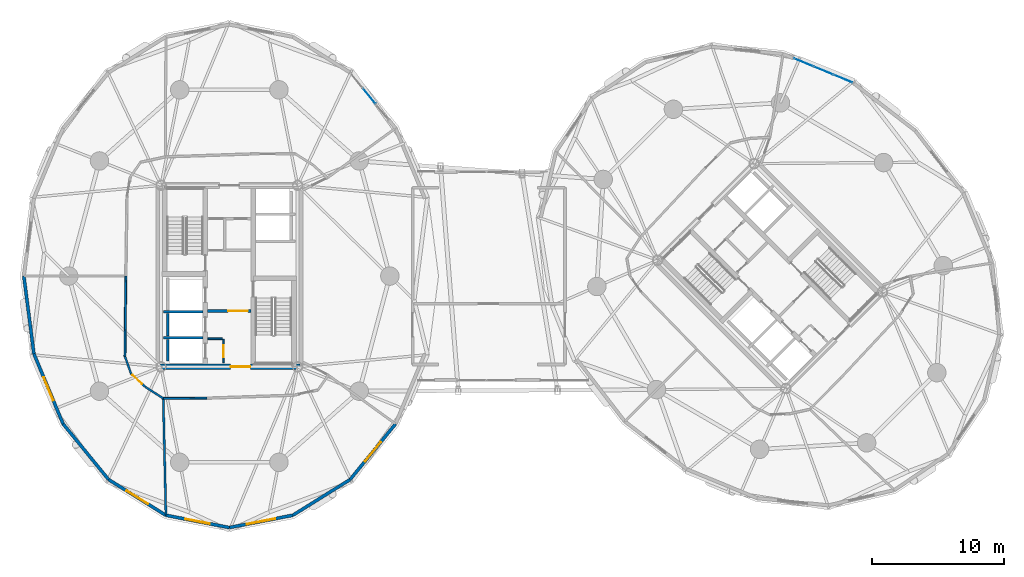
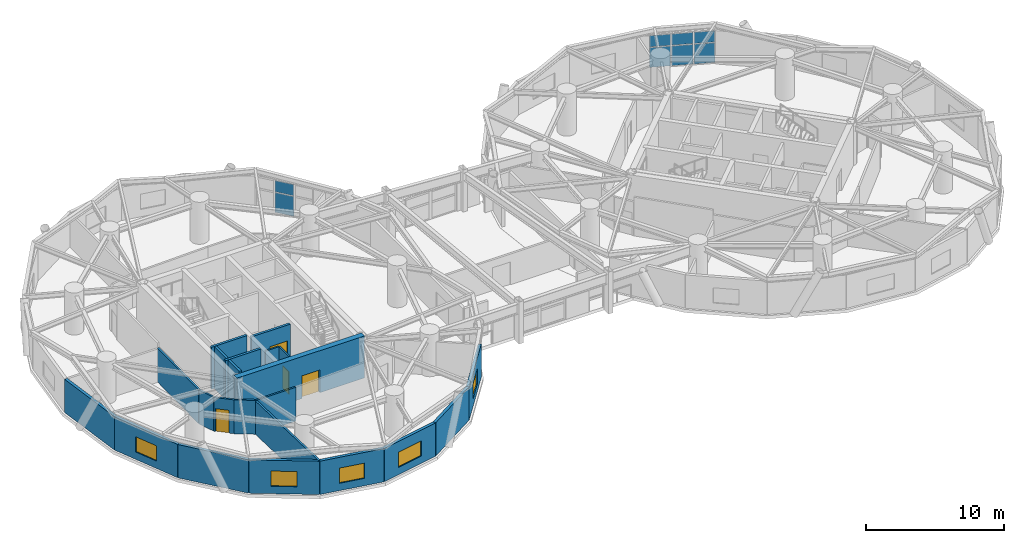
# One storey, part 12 of 19: 22 walls, 8 plates, 5 windows, 4 doors, 9 openings, 2 elements without a shape of their own.
"""IFC4 building model written with IfcOpenShell, lengths in metres."""

import ifcopenshell
import ifcopenshell.guid

model = None  # the IFC model being written
_history = None  # IfcOwnerHistory: only IFC2X3 demands one
_inside = {}  # id of a spatial element -> (the spatial element, [elements in it])
_under = {}  # id of a project, library or spatial element -> (it, [spatial elements below it])
_declared = {}  # id of a project -> (the project, [libraries it declares])
_typed = {}  # id of a type object -> (the type object, [elements of that type])
_made_of = {}  # id of a material, layer set ... -> (it, [elements and type objects made of it])


def new_model(schema):
    """Start an empty IFC model of exactly this schema.

    Asked for "IFC4X3", IfcOpenShell would pick the latest addendum, in which some entities
    have other attributes; the version numbers below select the first issue.
    IFC2X3 requires an IfcOwnerHistory on every rooted entity: one is made here for all.
    """
    global model, _history
    if schema == "IFC4X3":
        model = ifcopenshell.file(schema_version=(4, 3, 0, 0))
    else:
        model = ifcopenshell.file(schema=schema)
    _inside.clear()
    _under.clear()
    _declared.clear()
    _typed.clear()
    _made_of.clear()
    _history = None
    if model.schema == "IFC2X3":
        org = make("IfcOrganization", Name="unknown")
        user = make(
            "IfcPersonAndOrganization",
            ThePerson=make("IfcPerson", FamilyName="unknown"),
            TheOrganization=org,
        )
        app = make(
            "IfcApplication",
            ApplicationDeveloper=org,
            Version="unknown",
            ApplicationFullName="unknown",
            ApplicationIdentifier="unknown",
        )
        _history = make(
            "IfcOwnerHistory",
            OwningUser=user,
            OwningApplication=app,
            ChangeAction="ADDED",
            CreationDate=0,
        )
    return model


def make(cls, **values):
    """One entity of the class cls with the attributes given. An attribute that is None is left unset."""
    return model.create_entity(
        cls, **{name: value for name, value in values.items() if value is not None}
    )


def rooted(cls, **values):
    """An entity with a GlobalId (a new one), such as an element, a storey or a relation."""
    return make(cls, GlobalId=ifcopenshell.guid.new(), OwnerHistory=_history, **values)


def si_unit(unit_type, name, prefix=None):
    """IfcSIUnit, for example si_unit("LENGTHUNIT", "METRE", prefix="MILLI")."""
    return make("IfcSIUnit", UnitType=unit_type, Prefix=prefix, Name=name)


def assignment(units):
    """IfcUnitAssignment: the units of a project."""
    return None if units is None else make("IfcUnitAssignment", Units=units)


def point(xyz):
    """IfcCartesianPoint."""
    return None if xyz is None else make("IfcCartesianPoint", Coordinates=xyz)


def direction(xyz):
    """IfcDirection."""
    return None if xyz is None else make("IfcDirection", DirectionRatios=xyz)


def frame(location, z_axis=None, x_axis=None):
    """IfcAxis2Placement3D, a coordinate frame: its origin and axes. An axis left out is left unset."""
    return make(
        "IfcAxis2Placement3D",
        Location=point(location),
        Axis=direction(z_axis),
        RefDirection=direction(x_axis),
    )


def frame_2d(location, x_axis=None):
    """IfcAxis2Placement2D, a coordinate frame in the plane: its origin and x axis."""
    return make(
        "IfcAxis2Placement2D", Location=point(location), RefDirection=direction(x_axis)
    )


def origin():
    """The frame at (0, 0, 0) with its axes left unset."""
    return frame((0.0, 0.0, 0.0))


def origin_2d():
    """The frame at (0, 0) in the plane with its x axis left unset."""
    return frame_2d((0.0, 0.0))


def place(relative_to, where):
    """IfcLocalPlacement: puts the frame where relative to a parent placement (None: the world)."""
    return make(
        "IfcLocalPlacement", PlacementRelTo=relative_to, RelativePlacement=where
    )


def context(
    kind, dimensions, precision=None, world=None, true_north=None, identifier=None
):
    """IfcGeometricRepresentationContext, for example the 3D "Model" context."""
    return make(
        "IfcGeometricRepresentationContext",
        ContextIdentifier=identifier,
        ContextType=kind,
        CoordinateSpaceDimension=dimensions,
        Precision=precision,
        WorldCoordinateSystem=world,
        TrueNorth=true_north,
    )


def subcontext(parent, identifier, kind, view, scale=None):
    """IfcGeometricRepresentationSubContext, for example "Body" below "Model"."""
    return make(
        "IfcGeometricRepresentationSubContext",
        ContextIdentifier=identifier,
        ContextType=kind,
        ParentContext=parent,
        TargetScale=scale,
        TargetView=view,
    )


def project(units=None, contexts=None):
    """IfcProject with its units and contexts."""
    return rooted(
        "IfcProject",
        Name="project",
        RepresentationContexts=contexts,
        UnitsInContext=assignment(units),
    )


def spatial(cls, under=None, at=None, **own):
    """A site, building, storey or space (cls), placed at a placement, below another one or the project."""
    s = rooted(cls, ObjectPlacement=at, **own)
    if under is not None:
        _under.setdefault(under.id(), (under, []))[1].append(s)
    return s


def profile(cls, at=None, kind="AREA", **sizes):
    """A parametric profile (cls). Its sizes go by their IFC names, for example OverallWidth=200.0."""
    return make(cls, ProfileType=kind, Position=at, **sizes)


def rectangle(**sizes):
    """IfcRectangleProfileDef."""
    return profile("IfcRectangleProfileDef", **sizes)


def extrude(swept, where, along, depth):
    """IfcExtrudedAreaSolid: the profile swept, set in the frame where, extruded along a direction by depth."""
    return make(
        "IfcExtrudedAreaSolid",
        SweptArea=swept,
        Position=where,
        ExtrudedDirection=direction(along),
        Depth=depth,
    )


def shape(context_of_items, identifier, shape_type, items):
    """IfcShapeRepresentation: the items that make up one representation, for example the "Body"."""
    return make(
        "IfcShapeRepresentation",
        ContextOfItems=context_of_items,
        RepresentationIdentifier=identifier,
        RepresentationType=shape_type,
        Items=items,
    )


def source(mapping_origin, context_of_items, identifier, shape_type, items):
    """IfcRepresentationMap: a shape defined once, which mapped items show again and again."""
    return make(
        "IfcRepresentationMap",
        MappingOrigin=mapping_origin,
        MappedRepresentation=shape(context_of_items, identifier, shape_type, items),
    )


def transform(
    local_origin,
    x_axis=None,
    y_axis=None,
    z_axis=None,
    scale=None,
    scale2=None,
    scale3=None,
    uniform=True,
):
    """IfcCartesianTransformationOperator3D, or its non-uniform kind. x_axis, y_axis, z_axis: its Axis1, 2, 3."""
    if uniform:
        return make(
            "IfcCartesianTransformationOperator3D",
            Axis1=direction(x_axis),
            Axis2=direction(y_axis),
            LocalOrigin=point(local_origin),
            Scale=scale,
            Axis3=direction(z_axis),
        )
    return make(
        "IfcCartesianTransformationOperator3DnonUniform",
        Axis1=direction(x_axis),
        Axis2=direction(y_axis),
        LocalOrigin=point(local_origin),
        Scale=scale,
        Axis3=direction(z_axis),
        Scale2=scale2,
        Scale3=scale3,
    )


def mapped(mapping_source, mapping_target):
    """IfcMappedItem: shows the shape of a source again, moved by a transform."""
    return make(
        "IfcMappedItem", MappingSource=mapping_source, MappingTarget=mapping_target
    )


def material(Name=None, Category=None):
    """IfcMaterial."""
    return make("IfcMaterial", Name=Name, Category=Category)


def layer(
    of_material, thickness, ventilated=None, Name=None, Category=None, Priority=None
):
    """IfcMaterialLayer: one layer of a wall or slab, of a material (None: an air gap)."""
    return make(
        "IfcMaterialLayer",
        Material=of_material,
        LayerThickness=thickness,
        IsVentilated=ventilated,
        Name=Name,
        Category=Category,
        Priority=Priority,
    )


def layer_set(layers, Name=None):
    """IfcMaterialLayerSet."""
    return make("IfcMaterialLayerSet", MaterialLayers=layers, LayerSetName=Name)


def made_of(thing, what):
    """Note that an element or type object is made of a material, layer set ...; save() writes the relation."""
    if what is not None:
        _made_of.setdefault(what.id(), (what, []))[1].append(thing)
    return thing


def type_object(cls, material=None, **own):
    """A type object (cls), such as IfcWallType, which elements share."""
    return made_of(rooted(cls, **own), material)


def element(
    cls,
    number,
    at=None,
    inside=None,
    cuts=None,
    type_object=None,
    material=None,
    context=None,
    identifier="Body",
    shape_type=None,
    held_by="IfcProductDefinitionShape",
    body=None,
    shapes=None,
    **own,
):
    """One element of the class cls, such as IfcWall. Its Tag is "e" and its number.

    at: its placement. inside: the storey or other place that contains it. cuts: it is an
    opening in that element (IfcRelVoidsElement). A single representation is given by context,
    identifier, shape_type and body (its items); several are given by shapes. held_by: the class
    of the entity that holds the representations. save() writes the other relations.
    """
    e = rooted(cls, Tag="e%d" % number, ObjectPlacement=at, **own)
    if body is not None:
        shapes = [shape(context, identifier, shape_type, body)]
    if shapes is not None:
        e.Representation = make(held_by, Representations=shapes)
    if inside is not None:
        _inside.setdefault(inside.id(), (inside, []))[1].append(e)
    if cuts is not None:
        rooted(
            "IfcRelVoidsElement", RelatingBuildingElement=cuts, RelatedOpeningElement=e
        )
    if type_object is not None:
        _typed.setdefault(type_object.id(), (type_object, []))[1].append(e)
    return made_of(e, material)


def fill(opening, filler):
    """IfcRelFillsElement: the door or window that sits in an opening."""
    return rooted(
        "IfcRelFillsElement",
        RelatingOpeningElement=opening,
        RelatedBuildingElement=filler,
    )


def aggregate(whole, parts):
    """IfcRelAggregates: a whole, such as a stair, and the parts it consists of."""
    return rooted("IfcRelAggregates", RelatingObject=whole, RelatedObjects=parts)


def save(model, path):
    """Write the relations noted so far, then the file.

    IfcRelAggregates (storeys below a building ...), IfcRelContainedInSpatialStructure (elements
    in a storey), IfcRelDefinesByType, IfcRelAssociatesMaterial and IfcRelDeclares: one each for
    every whole, place, type object, material and project.
    """
    for whole, parts in _under.values():
        aggregate(whole, parts)
    for where, things in _inside.values():
        rooted(
            "IfcRelContainedInSpatialStructure",
            RelatedElements=things,
            RelatingStructure=where,
        )
    for kind, things in _typed.values():
        rooted("IfcRelDefinesByType", RelatedObjects=things, RelatingType=kind)
    for what, things in _made_of.values():
        rooted("IfcRelAssociatesMaterial", RelatedObjects=things, RelatingMaterial=what)
    for by, libraries in _declared.values():
        rooted("IfcRelDeclares", RelatingContext=by, RelatedDefinitions=libraries)
    model.write(path)


model = new_model("IFC4")

# Units and contexts
model_context = context("Model", 3, precision=1e-05, world=origin(), true_north=direction((0.0, 1.0)))
body_context = subcontext(model_context, "Body", "Model", "MODEL_VIEW")
ifc_project = project(units=[si_unit("LENGTHUNIT", "METRE"), si_unit("AREAUNIT", "SQUARE_METRE"), si_unit("VOLUMEUNIT", "CUBIC_METRE"), si_unit("PLANEANGLEUNIT", "RADIAN"), si_unit("MASSUNIT", "GRAM", prefix="KILO")], contexts=[model_context])

# Site, building, storey
site_placement = place(None, origin())
site = spatial("IfcSite", under=ifc_project, at=site_placement, CompositionType="ELEMENT")
building_placement = place(site_placement, origin())
building = spatial("IfcBuilding", under=site, at=building_placement, Name="Cununo Teusaquillo Station Towers", CompositionType="ELEMENT")
storey_placement = place(building_placement, frame((0.0, 0.0, 132.8798828125)))
storey = spatial("IfcBuildingStorey", under=building, at=storey_placement, Name="L42", CompositionType="ELEMENT", Elevation=132.8798828125)

# Curtain wall, plates
ifc_material_1 = material(Name="Ceramic-fritted dark low-E double glazing", Category="glass")
ifc_layer_1 = layer(ifc_material_1, 0.179931640625)
ifc_layer_set_1 = layer_set([ifc_layer_1], Name="Ceramic-fritted dark low-E double glazing")
curtain_wall_type = type_object("IfcCurtainWallType", Name="CW-SYS-04", PredefinedType="USERDEFINED", material=ifc_layer_set_1)
curtain_wall_1_placement = place(storey_placement, origin())
curtain_wall_1 = element("IfcCurtainWall", 1, at=curtain_wall_1_placement, inside=storey, type_object=curtain_wall_type, Name="L42 Tower A Facade Curtain Wall C02", ObjectType="FRITTED GLAZING", PredefinedType="USERDEFINED")
ifc_material_2 = material(Name="Ceramic-fritted dark low-E double glazing", Category="glass")
ifc_layer_2 = layer(ifc_material_2, 0.028076171875)
ifc_layer_set_2 = layer_set([ifc_layer_2], Name="Ceramic-fritted dark low-E double glazing")
plate_type = type_object("IfcPlateType", Name="CWP-FRIT-28", PredefinedType="CURTAIN_PANEL", material=ifc_layer_set_2)
shared_shape_1 = source(origin(), body_context, "Body", "SweptSolid", [
    extrude(rectangle(XDim=1.462646484375, YDim=0.028076171875, at=origin_2d()), origin(), (0.0, 0.0, 1.0), 1.7451171875),
])
plate_1_placement = place(storey_placement, frame((27.11279296875, 38.147705078125, 0.070068359375), z_axis=(0.0, 0.0, 1.0), x_axis=(0.63270351247, -0.774394127889, 0.0)))
plate_1 = element("IfcPlate", 2, at=plate_1_placement, type_object=plate_type, Name="CW-04 panel 2.1", PredefinedType="CURTAIN_PANEL", context=body_context, shape_type="MappedRepresentation", body=[
    mapped(shared_shape_1, transform((0.0, 0.0, 0.0), x_axis=(1.0, 0.0, 0.0), y_axis=(0.0, 1.0, 0.0), z_axis=(0.0, 0.0, 1.0), scale=1.0)),
])
shared_shape_2 = source(origin(), body_context, "Body", "SweptSolid", [
    extrude(rectangle(XDim=1.462646484375, YDim=0.028076171875, at=origin_2d()), origin(), (0.0, 0.0, 1.0), 0.993896484375),
])
plate_2_placement = place(storey_placement, frame((27.11279296875, 38.147705078125, 1.88525390625), z_axis=(0.0, 0.0, 1.0), x_axis=(0.63270351247, -0.774394127889, 0.0)))
plate_2 = element("IfcPlate", 3, at=plate_2_placement, type_object=plate_type, Name="CW-04 panel 2.2", PredefinedType="CURTAIN_PANEL", context=body_context, shape_type="MappedRepresentation", body=[
    mapped(shared_shape_2, transform((0.0, 0.0, 0.0), x_axis=(1.0, 0.0, 0.0), y_axis=(0.0, 1.0, 0.0), z_axis=(0.0, 0.0, 1.0), scale=1.0)),
])
aggregate(curtain_wall_1, [plate_1, plate_2])

curtain_wall_2_placement = place(storey_placement, origin())
curtain_wall_2 = element("IfcCurtainWall", 4, at=curtain_wall_2_placement, inside=storey, type_object=curtain_wall_type, Name="L42 Tower B Facade Curtain Wall C01", ObjectType="FRITTED GLAZING", PredefinedType="USERDEFINED")
shared_shape_3 = source(origin(), body_context, "Body", "SweptSolid", [
    extrude(rectangle(XDim=1.531005859375, YDim=0.028076171875, at=origin_2d()), origin(), (0.0, 0.0, 1.0), 1.7451171875),
])
plate_3_placement = place(storey_placement, frame((60.045654296875, 40.697021484375, 0.070068359375), z_axis=(0.0, 0.0, 1.0), x_axis=(0.924562443652, -0.381030560176, 0.0)))
plate_3 = element("IfcPlate", 5, at=plate_3_placement, type_object=plate_type, Name="CW-04 panel 1.1", PredefinedType="CURTAIN_PANEL", context=body_context, shape_type="MappedRepresentation", body=[
    mapped(shared_shape_3, transform((0.0, 0.0, 0.0), x_axis=(1.0, 0.0, 0.0), y_axis=(0.0, 1.0, 0.0), z_axis=(0.0, 0.0, 1.0), scale=1.0)),
])
plate_4_placement = place(storey_placement, frame((63.03857421875, 39.463623046875, 0.070068359375), z_axis=(0.0, 0.0, 1.0), x_axis=(0.924562443652, -0.381030560176, 0.0)))
plate_4 = element("IfcPlate", 6, at=plate_4_placement, type_object=plate_type, Name="CW-04 panel 3.1", PredefinedType="CURTAIN_PANEL", context=body_context, shape_type="MappedRepresentation", body=[
    mapped(shared_shape_3, transform((0.0, 0.0, 0.0), x_axis=(1.0, 0.0, 0.0), y_axis=(0.0, 1.0, 0.0), z_axis=(0.0, 0.0, 1.0), scale=1.0)),
])
shared_shape_4 = source(origin(), body_context, "Body", "SweptSolid", [
    extrude(rectangle(XDim=1.531005859375, YDim=0.028076171875, at=origin_2d()), origin(), (0.0, 0.0, 1.0), 0.993896484375),
])
plate_5_placement = place(storey_placement, frame((60.045654296875, 40.697021484375, 1.88525390625), z_axis=(0.0, 0.0, 1.0), x_axis=(0.924562443652, -0.381030560176, 0.0)))
plate_5 = element("IfcPlate", 7, at=plate_5_placement, type_object=plate_type, Name="CW-04 panel 1.2", PredefinedType="CURTAIN_PANEL", context=body_context, shape_type="MappedRepresentation", body=[
    mapped(shared_shape_4, transform((0.0, 0.0, 0.0), x_axis=(1.0, 0.0, 0.0), y_axis=(0.0, 1.0, 0.0), z_axis=(0.0, 0.0, 1.0), scale=1.0)),
])
plate_6_placement = place(storey_placement, frame((63.03857421875, 39.463623046875, 1.88525390625), z_axis=(0.0, 0.0, 1.0), x_axis=(0.924562443652, -0.381030560176, 0.0)))
plate_6 = element("IfcPlate", 8, at=plate_6_placement, type_object=plate_type, Name="CW-04 panel 3.2", PredefinedType="CURTAIN_PANEL", context=body_context, shape_type="MappedRepresentation", body=[
    mapped(shared_shape_4, transform((0.0, 0.0, 0.0), x_axis=(1.0, 0.0, 0.0), y_axis=(0.0, 1.0, 0.0), z_axis=(0.0, 0.0, 1.0), scale=1.0)),
])
shared_shape_5 = source(origin(), body_context, "Body", "SweptSolid", [
    extrude(rectangle(XDim=1.566162109375, YDim=0.028076171875, at=origin_2d()), origin(), (0.0, 0.0, 1.0), 1.7451171875),
])
plate_7_placement = place(storey_placement, frame((61.542236328125, 40.080322265625, 0.070068359375), z_axis=(0.0, 0.0, 1.0), x_axis=(0.924562443652, -0.381030560176, 0.0)))
plate_7 = element("IfcPlate", 9, at=plate_7_placement, type_object=plate_type, Name="CW-04 panel 2.1", PredefinedType="CURTAIN_PANEL", context=body_context, shape_type="MappedRepresentation", body=[
    mapped(shared_shape_5, transform((0.0, 0.0, 0.0), x_axis=(1.0, 0.0, 0.0), y_axis=(0.0, 1.0, 0.0), z_axis=(0.0, 0.0, 1.0), scale=1.0)),
])
shared_shape_6 = source(origin(), body_context, "Body", "SweptSolid", [
    extrude(rectangle(XDim=1.566162109375, YDim=0.028076171875, at=origin_2d()), origin(), (0.0, 0.0, 1.0), 0.993896484375),
])
plate_8_placement = place(storey_placement, frame((61.542236328125, 40.080322265625, 1.88525390625), z_axis=(0.0, 0.0, 1.0), x_axis=(0.924562443652, -0.381030560176, 0.0)))
plate_8 = element("IfcPlate", 10, at=plate_8_placement, type_object=plate_type, Name="CW-04 panel 2.2", PredefinedType="CURTAIN_PANEL", context=body_context, shape_type="MappedRepresentation", body=[
    mapped(shared_shape_6, transform((0.0, 0.0, 0.0), x_axis=(1.0, 0.0, 0.0), y_axis=(0.0, 1.0, 0.0), z_axis=(0.0, 0.0, 1.0), scale=1.0)),
])
aggregate(curtain_wall_2, [plate_3, plate_5, plate_7, plate_8, plate_4, plate_6])

# Walls
ifc_material_3 = material(Name="Concrete C50/60", Category="concrete")
ifc_layer_3 = layer(ifc_material_3, 0.199951171875)
ifc_layer_set_3 = layer_set([ifc_layer_3], Name="Concrete C50/60")
wall_type_1 = type_object("IfcWallType", Name="WL-CORE-200", PredefinedType="SHEAR", material=ifc_layer_set_3)
for number, where, z_axis, x_axis, name in (
    (11, (11.52001953125, 21.800048828125, 0.0), (0.0, 0.0, 1.0), (1.0, 0.0, 0.0), "L42 Tower A Firefighting Lift Shaft South Shear Wall"),
    (12, (11.52001953125, 19.824951171875, 0.0), (0.0, 0.0, 1.0), (1.0, 0.0, 0.0), "L42 Tower A High-Rise Lift Hoistway Divider Shear Wall"),
):
    element("IfcWall", number, at=place(storey_placement, frame(where, z_axis=z_axis, x_axis=x_axis)), inside=storey, type_object=wall_type_1, Name=name, PredefinedType="SHEAR", context=body_context, shape_type="SweptSolid", body=[
        extrude(rectangle(XDim=2.969970703125, YDim=0.199951171875, at=frame_2d((1.48486328125, 0.0))), origin(), (0.0, 0.0, 1.0), 3.72021484375),
    ])
wall_1_placement = place(storey_placement, frame((11.820068359375, 19.945068359375, 0.0), z_axis=(0.0, 0.0, 1.0), x_axis=(0.0, 1.0, 0.0)))
element("IfcWall", 13, at=wall_1_placement, inside=storey, type_object=wall_type_1, Name="L42 Tower A High-Rise Lift 2 Shaft Rear Shear Wall", PredefinedType="SHEAR", context=body_context, shape_type="SweptSolid", body=[
    extrude(rectangle(XDim=1.73486328125, YDim=0.199951171875, at=frame_2d((0.867431640625, 0.0))), origin(), (0.0, 0.0, 1.0), 3.72021484375),
])
wall_2_placement = place(storey_placement, frame((11.820068359375, 18.070068359375, 0.0), z_axis=(0.0, 0.0, 1.0), x_axis=(0.0, 1.0, 0.0)))
element("IfcWall", 14, at=wall_2_placement, inside=storey, type_object=wall_type_1, Name="L42 Tower A High-Rise Lift 1 Shaft Rear Shear Wall", PredefinedType="SHEAR", context=body_context, shape_type="SweptSolid", body=[
    extrude(rectangle(XDim=1.635009765625, YDim=0.199951171875, at=frame_2d((0.8173828125, 0.0))), origin(), (0.0, 0.0, 1.0), 3.72021484375),
])

# Wall, opening, door
ifc_material_4 = material(Name="Concrete C60/75", Category="concrete")
ifc_layer_4 = layer(ifc_material_4, 0.449951171875)
ifc_layer_set_4 = layer_set([ifc_layer_4], Name="Concrete C60/75")
wall_type_2 = type_object("IfcWallType", Name="WL-CORE-450", PredefinedType="SHEAR", material=ifc_layer_set_4)
wall_3_placement = place(storey_placement, frame((11.14990234375, 17.625, 0.0), z_axis=(0.0, 0.0, 1.0), x_axis=(1.0, 0.0, 0.0)))
wall_3 = element("IfcWall", 15, at=wall_3_placement, inside=storey, type_object=wall_type_2, Name="L42 Tower A Core Shear Wall S", PredefinedType="SHEAR", context=body_context, shape_type="SweptSolid", body=[
    extrude(rectangle(XDim=10.7001953125, YDim=0.449951171875, at=frame_2d((5.35009765625, 0.0))), origin(), (0.0, 0.0, 1.0), 3.72021484375),
])
shared_shape_7 = source(origin(), body_context, "Body", "SweptSolid", [
    extrude(rectangle(XDim=1.5, YDim=2.02001953125, at=frame_2d((0.75, 1.010009765625))), frame((0.0, 0.23486328125, 0.0), z_axis=(0.0, -1.0, 0.0), x_axis=(1.0, 0.0, 0.0)), (0.0, 0.0, 1.0), 0.469970703125),
])
opening_1_placement = place(wall_3_placement, frame((5.449951171875, 0.0, 0.0)))
opening_1 = element("IfcOpeningElement", 16, at=opening_1_placement, cuts=wall_3, Name="Opening D-LB1", PredefinedType="OPENING", context=body_context, shape_type="MappedRepresentation", body=[
    mapped(shared_shape_7, transform((0.0, 0.0, 0.0), x_axis=(1.0, 0.0, 0.0), y_axis=(0.0, 1.0, 0.0), z_axis=(0.0, 0.0, 1.0), scale=1.0)),
])
ifc_material_5 = material(Name="Galvanised fire-rated hollow steel door assembly", Category="steel")
door_type_1 = type_object("IfcDoorType", Name="DR-LOBBY-1500", OperationType="DOUBLE_DOOR_SINGLE_SWING", PredefinedType="DOOR", material=ifc_material_5)
shared_shape_8 = source(origin(), body_context, "Body", "SweptSolid", [
    extrude(rectangle(XDim=1.5, YDim=2.02001953125, at=frame_2d((0.75, 1.010009765625))), frame((0.0, 0.02490234375, 0.0), z_axis=(0.0, -1.0, 0.0), x_axis=(1.0, 0.0, 0.0)), (0.0, 0.0, 1.0), 0.050048828125),
])
door_1_placement = place(opening_1_placement, origin())
door_1 = element("IfcDoor", 17, at=door_1_placement, inside=storey, type_object=door_type_1, Name="L42 Tower A South Core Lift Lobby Door", OperationType="DOUBLE_DOOR_SINGLE_SWING", OverallHeight=2.02001953125, OverallWidth=1.5, PredefinedType="DOOR", context=body_context, shape_type="MappedRepresentation", body=[
    mapped(shared_shape_8, transform((0.0, 0.0, 0.0), x_axis=(1.0, 0.0, 0.0), y_axis=(0.0, 1.0, 0.0), z_axis=(0.0, 0.0, 1.0), scale=1.0)),
])
fill(opening_1, door_1)

# Wall
ifc_material_6 = material(Name="Precast concrete C40/50", Category="concrete")
ifc_layer_5 = layer(ifc_material_6, 0.239990234375)
ifc_layer_set_5 = layer_set([ifc_layer_5], Name="Precast concrete C40/50")
wall_type_3 = type_object("IfcWallType", Name="WL-EXT-240", PredefinedType="SOLIDWALL", material=ifc_layer_set_5)
wall_4_placement = place(storey_placement, frame((1.681640625, 18.60693359375, 0.0), z_axis=(0.0, 0.0, 1.0), x_axis=(-0.128351991996, 0.991728675672, 0.0)))
element("IfcWall", 18, at=wall_4_placement, inside=storey, type_object=wall_type_3, Name="L42 Tower A Exterior Facade Wall C10", PredefinedType="SOLIDWALL", context=body_context, shape_type="SweptSolid", body=[
    extrude(rectangle(XDim=5.942138671875, YDim=0.239990234375, at=frame_2d((2.97119140625, 0.0))), origin(), (0.0, 0.0, 1.0), 2.94921875),
])

# Wall, opening, window
wall_5_placement = place(storey_placement, frame((3.894775390625, 13.291015625, 0.0), z_axis=(0.0, 0.0, 1.0), x_axis=(-0.384344417632, 0.923189779317, 0.0)))
wall_5 = element("IfcWall", 19, at=wall_5_placement, inside=storey, type_object=wall_type_3, Name="L42 Tower A Exterior Facade Wall C11", PredefinedType="SOLIDWALL", context=body_context, shape_type="SweptSolid", body=[
    extrude(rectangle(XDim=5.75830078125, YDim=0.239990234375, at=frame_2d((2.879150390625, 0.0))), origin(), (0.0, 0.0, 1.0), 2.94921875),
])
shared_shape_9 = source(origin(), body_context, "Body", "SweptSolid", [
    extrude(rectangle(XDim=1.89990234375, YDim=1.35009765625, at=frame_2d((0.949951171875, 0.675048828125))), frame((0.0, 0.1298828125, 0.0), z_axis=(0.0, -1.0, 0.0), x_axis=(1.0, 0.0, 0.0)), (0.0, 0.0, 1.0), 0.260009765625),
])
opening_2_placement = place(wall_5_placement, frame((1.928955078125, 0.0, 0.64990234375)))
opening_2 = element("IfcOpeningElement", 20, at=opening_2_placement, cuts=wall_5, Name="Opening WN-02", PredefinedType="OPENING", context=body_context, shape_type="MappedRepresentation", body=[
    mapped(shared_shape_9, transform((0.0, 0.0, 0.0), x_axis=(1.0, 0.0, 0.0), y_axis=(0.0, 1.0, 0.0), z_axis=(0.0, 0.0, 1.0), scale=1.0)),
])
ifc_material_7 = material(Name="Operable acoustic tinted low-E double glazing", Category="glass")
window_type_1 = type_object("IfcWindowType", Name="WIN-OPER-1900", PartitioningType="DOUBLE_PANEL_VERTICAL", PredefinedType="WINDOW", material=ifc_material_7)
shared_shape_10 = source(origin(), body_context, "Body", "SweptSolid", [
    extrude(rectangle(XDim=1.89990234375, YDim=1.35009765625, at=frame_2d((0.949951171875, 0.675048828125))), frame((0.0, 0.030029296875, 0.0), z_axis=(0.0, -1.0, 0.0), x_axis=(1.0, 0.0, 0.0)), (0.0, 0.0, 1.0), 0.06005859375),
])
window_1_placement = place(opening_2_placement, origin())
window_1 = element("IfcWindow", 21, at=window_1_placement, inside=storey, type_object=window_type_1, Name="L42 Tower A Facade Window C11", OverallHeight=1.35009765625, OverallWidth=1.89990234375, PartitioningType="DOUBLE_PANEL_VERTICAL", PredefinedType="WINDOW", context=body_context, shape_type="MappedRepresentation", body=[
    mapped(shared_shape_10, transform((0.0, 0.0, 0.0), x_axis=(1.0, 0.0, 0.0), y_axis=(0.0, 1.0, 0.0), z_axis=(0.0, 0.0, 1.0), scale=1.0)),
])
fill(opening_2, window_1)

# Wall
wall_6_placement = place(storey_placement, frame((7.341796875, 9.072021484375, 0.0), z_axis=(0.0, 0.0, 1.0), x_axis=(-0.632700781152, 0.77439635945, 0.0)))
element("IfcWall", 22, at=wall_6_placement, inside=storey, type_object=wall_type_3, Name="L42 Tower A Exterior Facade Wall C12", PredefinedType="SOLIDWALL", context=body_context, shape_type="SweptSolid", body=[
    extrude(rectangle(XDim=5.447998046875, YDim=0.239990234375, at=frame_2d((2.72412109375, 0.0))), origin(), (0.0, 0.0, 1.0), 2.94921875),
])

# Wall, opening, window
wall_7_placement = place(storey_placement, frame((11.685302734375, 6.36328125, 0.0), z_axis=(0.0, 0.0, 1.0), x_axis=(-0.848520380187, 0.529162701263, 0.0)))
wall_7 = element("IfcWall", 23, at=wall_7_placement, inside=storey, type_object=wall_type_3, Name="L42 Tower A Exterior Facade Wall C13", PredefinedType="SOLIDWALL", context=body_context, shape_type="SweptSolid", body=[
    extrude(rectangle(XDim=5.118896484375, YDim=0.239990234375, at=frame_2d((2.5595703125, 0.0))), origin(), (0.0, 0.0, 1.0), 2.94921875),
])
opening_3_placement = place(wall_7_placement, frame((1.60888671875, 0.0, 0.64990234375)))
opening_3 = element("IfcOpeningElement", 24, at=opening_3_placement, cuts=wall_7, Name="Opening WN-02", PredefinedType="OPENING", context=body_context, shape_type="MappedRepresentation", body=[
    mapped(shared_shape_9, transform((0.0, 0.0, 0.0), x_axis=(1.0, 0.0, 0.0), y_axis=(0.0, 1.0, 0.0), z_axis=(0.0, 0.0, 1.0), scale=1.0)),
])
window_2_placement = place(opening_3_placement, origin())
window_2 = element("IfcWindow", 25, at=window_2_placement, inside=storey, type_object=window_type_1, Name="L42 Tower A Facade Window C13", OverallHeight=1.35009765625, OverallWidth=1.89990234375, PartitioningType="DOUBLE_PANEL_VERTICAL", PredefinedType="WINDOW", context=body_context, shape_type="MappedRepresentation", body=[
    mapped(shared_shape_10, transform((0.0, 0.0, 0.0), x_axis=(1.0, 0.0, 0.0), y_axis=(0.0, 1.0, 0.0), z_axis=(0.0, 0.0, 1.0), scale=1.0)),
])
fill(opening_3, window_2)

wall_8_placement = place(storey_placement, frame((16.5, 5.429931640625, 0.0), z_axis=(0.0, 0.0, 1.0), x_axis=(-0.981723785992, 0.190311344954, 0.0)))
wall_8 = element("IfcWall", 26, at=wall_8_placement, inside=storey, type_object=wall_type_3, Name="L42 Tower A Exterior Facade Wall C14", PredefinedType="SOLIDWALL", context=body_context, shape_type="SweptSolid", body=[
    extrude(rectangle(XDim=4.904296875, YDim=0.239990234375, at=frame_2d((2.4521484375, 0.0))), origin(), (0.0, 0.0, 1.0), 2.94921875),
])
opening_4_placement = place(wall_8_placement, frame((1.501953125, 0.0, 0.64990234375)))
opening_4 = element("IfcOpeningElement", 27, at=opening_4_placement, cuts=wall_8, Name="Opening WN-02", PredefinedType="OPENING", context=body_context, shape_type="MappedRepresentation", body=[
    mapped(shared_shape_9, transform((0.0, 0.0, 0.0), x_axis=(1.0, 0.0, 0.0), y_axis=(0.0, 1.0, 0.0), z_axis=(0.0, 0.0, 1.0), scale=1.0)),
])
window_3_placement = place(opening_4_placement, origin())
window_3 = element("IfcWindow", 28, at=window_3_placement, inside=storey, type_object=window_type_1, Name="L42 Tower A Facade Window C14", OverallHeight=1.35009765625, OverallWidth=1.89990234375, PartitioningType="DOUBLE_PANEL_VERTICAL", PredefinedType="WINDOW", context=body_context, shape_type="MappedRepresentation", body=[
    mapped(shared_shape_10, transform((0.0, 0.0, 0.0), x_axis=(1.0, 0.0, 0.0), y_axis=(0.0, 1.0, 0.0), z_axis=(0.0, 0.0, 1.0), scale=1.0)),
])
fill(opening_4, window_3)

wall_9_placement = place(storey_placement, frame((21.314697265625, 6.36328125, 0.0), z_axis=(0.0, 0.0, 1.0), x_axis=(-0.981723785992, -0.190311344954, 0.0)))
wall_9 = element("IfcWall", 29, at=wall_9_placement, inside=storey, type_object=wall_type_3, Name="L42 Tower A Exterior Facade Wall C15", PredefinedType="SOLIDWALL", context=body_context, shape_type="SweptSolid", body=[
    extrude(rectangle(XDim=4.904296875, YDim=0.239990234375, at=frame_2d((2.4521484375, 0.0))), origin(), (0.0, 0.0, 1.0), 2.94921875),
])
shared_shape_11 = source(origin(), body_context, "Body", "SweptSolid", [
    extrude(rectangle(XDim=2.199951171875, YDim=1.35009765625, at=frame_2d((1.10009765625, 0.675048828125))), frame((0.0, 0.1298828125, 0.0), z_axis=(0.0, -1.0, 0.0), x_axis=(1.0, 0.0, 0.0)), (0.0, 0.0, 1.0), 0.260009765625),
])
opening_5_placement = place(wall_9_placement, frame((1.35205078125, 0.0, 0.64990234375)))
opening_5 = element("IfcOpeningElement", 30, at=opening_5_placement, cuts=wall_9, Name="Opening WN-01", PredefinedType="OPENING", context=body_context, shape_type="MappedRepresentation", body=[
    mapped(shared_shape_11, transform((0.0, 0.0, 0.0), x_axis=(1.0, 0.0, 0.0), y_axis=(0.0, 1.0, 0.0), z_axis=(0.0, 0.0, 1.0), scale=1.0)),
])
ifc_material_8 = material(Name="Ceramic-fritted dark low-E double glazing", Category="glass")
window_type_2 = type_object("IfcWindowType", Name="WIN-FRIT-2200", PartitioningType="DOUBLE_PANEL_VERTICAL", PredefinedType="WINDOW", material=ifc_material_8)
shared_shape_12 = source(origin(), body_context, "Body", "SweptSolid", [
    extrude(rectangle(XDim=2.199951171875, YDim=1.35009765625, at=frame_2d((1.10009765625, 0.675048828125))), frame((0.0, 0.030029296875, 0.0), z_axis=(0.0, -1.0, 0.0), x_axis=(1.0, 0.0, 0.0)), (0.0, 0.0, 1.0), 0.06005859375),
])
window_4_placement = place(opening_5_placement, origin())
window_4 = element("IfcWindow", 31, at=window_4_placement, inside=storey, type_object=window_type_2, Name="L42 Tower A Facade Window C15", OverallHeight=1.35009765625, OverallWidth=2.199951171875, PartitioningType="DOUBLE_PANEL_VERTICAL", PredefinedType="WINDOW", context=body_context, shape_type="MappedRepresentation", body=[
    mapped(shared_shape_12, transform((0.0, 0.0, 0.0), x_axis=(1.0, 0.0, 0.0), y_axis=(0.0, 1.0, 0.0), z_axis=(0.0, 0.0, 1.0), scale=1.0)),
])
fill(opening_5, window_4)

# Wall
wall_10_placement = place(storey_placement, frame((25.658203125, 9.072021484375, 0.0), z_axis=(0.0, 0.0, 1.0), x_axis=(-0.848520380187, -0.529162701263, 0.0)))
element("IfcWall", 32, at=wall_10_placement, inside=storey, type_object=wall_type_3, Name="L42 Tower A Exterior Facade Wall C16", PredefinedType="SOLIDWALL", context=body_context, shape_type="SweptSolid", body=[
    extrude(rectangle(XDim=5.118896484375, YDim=0.239990234375, at=frame_2d((2.5595703125, 0.0))), origin(), (0.0, 0.0, 1.0), 2.94921875),
])

# Wall, opening, window
wall_11_placement = place(storey_placement, frame((29.105224609375, 13.291015625, 0.0), z_axis=(0.0, 0.0, 1.0), x_axis=(-0.632700781152, -0.77439635945, 0.0)))
wall_11 = element("IfcWall", 33, at=wall_11_placement, inside=storey, type_object=wall_type_3, Name="L42 Tower A Exterior Facade Wall C17", PredefinedType="SOLIDWALL", context=body_context, shape_type="SweptSolid", body=[
    extrude(rectangle(XDim=5.447998046875, YDim=0.239990234375, at=frame_2d((2.72412109375, 0.0))), origin(), (0.0, 0.0, 1.0), 2.94921875),
])
opening_6_placement = place(wall_11_placement, frame((1.77392578125, 0.0, 0.64990234375)))
opening_6 = element("IfcOpeningElement", 34, at=opening_6_placement, cuts=wall_11, Name="Opening WN-02", PredefinedType="OPENING", context=body_context, shape_type="MappedRepresentation", body=[
    mapped(shared_shape_9, transform((0.0, 0.0, 0.0), x_axis=(1.0, 0.0, 0.0), y_axis=(0.0, 1.0, 0.0), z_axis=(0.0, 0.0, 1.0), scale=1.0)),
])
window_5_placement = place(opening_6_placement, origin())
window_5 = element("IfcWindow", 35, at=window_5_placement, inside=storey, type_object=window_type_1, Name="L42 Tower A Facade Window C17", OverallHeight=1.35009765625, OverallWidth=1.89990234375, PartitioningType="DOUBLE_PANEL_VERTICAL", PredefinedType="WINDOW", context=body_context, shape_type="MappedRepresentation", body=[
    mapped(shared_shape_10, transform((0.0, 0.0, 0.0), x_axis=(1.0, 0.0, 0.0), y_axis=(0.0, 1.0, 0.0), z_axis=(0.0, 0.0, 1.0), scale=1.0)),
])
fill(opening_6, window_5)

# Wall, opening, door
ifc_material_9 = material(Name="Fire-rated gypsum plasterboard partition assembly", Category="gypsum")
ifc_layer_6 = layer(ifc_material_9, 0.125)
ifc_layer_set_6 = layer_set([ifc_layer_6], Name="Fire-rated gypsum plasterboard partition assembly")
wall_type_4 = type_object("IfcWallType", Name="WL-PART-125", PredefinedType="PARTITIONING", material=ifc_layer_set_6)
wall_12_placement = place(storey_placement, frame((16.050048828125, 17.919921875, 0.0), z_axis=(0.0, 0.0, 1.0), x_axis=(0.0, 1.0, 0.0)))
wall_12 = element("IfcWall", 36, at=wall_12_placement, inside=storey, type_object=wall_type_4, Name="L42 Tower A South-West Compact Store East Wall", PredefinedType="PARTITIONING", context=body_context, shape_type="SweptSolid", body=[
    extrude(rectangle(XDim=1.800048828125, YDim=0.125, at=frame_2d((0.89990234375, 0.0))), origin(), (0.0, 0.0, 1.0), 3.425048828125),
])
shared_shape_13 = source(origin(), body_context, "Body", "SweptSolid", [
    extrude(rectangle(XDim=0.89990234375, YDim=2.0048828125, at=frame_2d((0.449951171875, 1.00244140625))), frame((0.0, 0.072509765625, 0.0), z_axis=(0.0, -1.0, 0.0), x_axis=(1.0, 0.0, 0.0)), (0.0, 0.0, 1.0), 0.14501953125),
])
opening_7_placement = place(wall_12_placement, frame((0.419921875, 0.0, 0.0)))
opening_7 = element("IfcOpeningElement", 37, at=opening_7_placement, cuts=wall_12, Name="Opening D-SR1", PredefinedType="OPENING", context=body_context, shape_type="MappedRepresentation", body=[
    mapped(shared_shape_13, transform((0.0, 0.0, 0.0), x_axis=(1.0, 0.0, 0.0), y_axis=(0.0, 1.0, 0.0), z_axis=(0.0, 0.0, 1.0), scale=1.0)),
])
ifc_material_10 = material(Name="Galvanised fire-rated hollow steel door assembly", Category="steel")
door_type_2 = type_object("IfcDoorType", Name="DR-STORE-900", OperationType="NOTDEFINED", PredefinedType="DOOR", material=ifc_material_10)
shared_shape_14 = source(origin(), body_context, "Body", "SweptSolid", [
    extrude(rectangle(XDim=0.89990234375, YDim=2.0048828125, at=frame_2d((0.449951171875, 1.00244140625))), frame((0.0, 0.02490234375, 0.0), z_axis=(0.0, -1.0, 0.0), x_axis=(1.0, 0.0, 0.0)), (0.0, 0.0, 1.0), 0.050048828125),
])
door_2_placement = place(opening_7_placement, origin())
door_2 = element("IfcDoor", 38, at=door_2_placement, inside=storey, type_object=door_type_2, Name="L42 Tower A Core Electrical & Comms Store Door", OperationType="SINGLE_SWING_RIGHT", OverallHeight=2.0048828125, OverallWidth=0.89990234375, PredefinedType="DOOR", context=body_context, shape_type="MappedRepresentation", body=[
    mapped(shared_shape_14, transform((0.0, 0.0, 0.0), x_axis=(1.0, 0.0, 0.0), y_axis=(0.0, 1.0, 0.0), z_axis=(0.0, 0.0, 1.0), scale=1.0)),
])
fill(opening_7, door_2)

# Walls
wall_13_placement = place(storey_placement, frame((14.8798828125, 19.75, 0.0), z_axis=(0.0, 0.0, 1.0), x_axis=(1.0, 0.0, 0.0)))
element("IfcWall", 39, at=wall_13_placement, inside=storey, type_object=wall_type_4, Name="L42 Tower A South-West Compact Store North Wall", PredefinedType="PARTITIONING", context=body_context, shape_type="SweptSolid", body=[
    extrude(rectangle(XDim=1.10009765625, YDim=0.125, at=frame_2d((0.550048828125, 0.0))), origin(), (0.0, 0.0, 1.0), 3.425048828125),
])
ifc_material_11 = material(Name="Fire-rated gypsum plasterboard partition assembly", Category="gypsum")
ifc_layer_7 = layer(ifc_material_11, 0.14990234375)
ifc_layer_set_7 = layer_set([ifc_layer_7], Name="Fire-rated gypsum plasterboard partition assembly")
wall_type_5 = type_object("IfcWallType", Name="WL-PART-150", PredefinedType="PARTITIONING", material=ifc_layer_set_7)
wall_14_placement = place(storey_placement, frame((8.64990234375, 24.5, 0.0), z_axis=(0.0, 0.0, 1.0), x_axis=(-0.010250943023, -0.999947457703, 0.0)))
element("IfcWall", 40, at=wall_14_placement, inside=storey, type_object=wall_type_5, Name="L42 Tower A Corridor Ring Wall C10", PredefinedType="PARTITIONING", context=body_context, shape_type="SweptSolid", body=[
    extrude(rectangle(XDim=6.096923828125, YDim=0.14990234375, at=frame_2d((3.04833984375, 0.0))), origin(), (0.0, 0.0, 1.0), 2.9951171875),
])
wall_15_placement = place(storey_placement, frame((8.58740234375, 18.4033203125, 0.0), z_axis=(0.0, 0.0, 1.0), x_axis=(0.333119120686, -0.942884749815, 0.0)))
element("IfcWall", 41, at=wall_15_placement, inside=storey, type_object=wall_type_5, Name="L42 Tower A Corridor Ring Wall C11", PredefinedType="PARTITIONING", context=body_context, shape_type="SweptSolid", body=[
    extrude(rectangle(XDim=1.409423828125, YDim=0.14990234375, at=frame_2d((0.70458984375, 0.0))), origin(), (0.0, 0.0, 1.0), 2.9951171875),
])

# Wall, opening, door
wall_16_placement = place(storey_placement, frame((9.056884765625, 17.074462890625, 0.0), z_axis=(0.0, 0.0, 1.0), x_axis=(0.739999571423, -0.672607340351, 0.0)))
wall_16 = element("IfcWall", 42, at=wall_16_placement, inside=storey, type_object=wall_type_5, Name="L42 Tower A Corridor Ring Wall C12", PredefinedType="PARTITIONING", context=body_context, shape_type="SweptSolid", body=[
    extrude(rectangle(XDim=1.4853515625, YDim=0.14990234375, at=frame_2d((0.74267578125, 0.0))), origin(), (0.0, 0.0, 1.0), 2.9951171875),
])
shared_shape_15 = source(origin(), body_context, "Body", "SweptSolid", [
    extrude(rectangle(XDim=1.0, YDim=2.014892578125, at=frame_2d((0.5, 1.00732421875))), frame((0.0, 0.0849609375, 0.0), z_axis=(0.0, -1.0, 0.0), x_axis=(1.0, 0.0, 0.0)), (0.0, 0.0, 1.0), 0.169921875),
])
opening_8_placement = place(wall_16_placement, frame((0.1201171875, 0.0, 0.0)))
opening_8 = element("IfcOpeningElement", 43, at=opening_8_placement, cuts=wall_16, Name="Opening D-AC1", PredefinedType="OPENING", context=body_context, shape_type="MappedRepresentation", body=[
    mapped(shared_shape_15, transform((0.0, 0.0, 0.0), x_axis=(1.0, 0.0, 0.0), y_axis=(0.0, 1.0, 0.0), z_axis=(0.0, 0.0, 1.0), scale=1.0)),
])
ifc_material_12 = material(Name="Acoustic solid-core hardwood leaf assembly", Category="wood")
door_type_3 = type_object("IfcDoorType", Name="DR-ACC-1000", OperationType="NOTDEFINED", PredefinedType="DOOR", material=ifc_material_12)
shared_shape_16 = source(origin(), body_context, "Body", "SweptSolid", [
    extrude(rectangle(XDim=1.0, YDim=2.014892578125, at=frame_2d((0.5, 1.00732421875))), frame((0.0, 0.02490234375, 0.0), z_axis=(0.0, -1.0, 0.0), x_axis=(1.0, 0.0, 0.0)), (0.0, 0.0, 1.0), 0.050048828125),
])
door_3_placement = place(opening_8_placement, origin())
door_3 = element("IfcDoor", 44, at=door_3_placement, inside=storey, type_object=door_type_3, Name="L42 Tower A Public Accessible Restroom WC Entrance Door", OperationType="SINGLE_SWING_RIGHT", OverallHeight=2.014892578125, OverallWidth=1.0, PredefinedType="DOOR", context=body_context, shape_type="MappedRepresentation", body=[
    mapped(shared_shape_16, transform((0.0, 0.0, 0.0), x_axis=(1.0, 0.0, 0.0), y_axis=(0.0, 1.0, 0.0), z_axis=(0.0, 0.0, 1.0), scale=1.0)),
])
fill(opening_8, door_3)

# Walls
wall_17_placement = place(storey_placement, frame((10.156005859375, 16.075439453125, 0.0), z_axis=(0.0, 0.0, 1.0), x_axis=(0.843896624713, -0.536505812455, 0.0)))
element("IfcWall", 45, at=wall_17_placement, inside=storey, type_object=wall_type_5, Name="L42 Tower A Corridor Ring Wall C13", PredefinedType="PARTITIONING", context=body_context, shape_type="SweptSolid", body=[
    extrude(rectangle(XDim=1.581298828125, YDim=0.14990234375, at=frame_2d((0.79052734375, 0.0))), origin(), (0.0, 0.0, 1.0), 2.9951171875),
])
wall_18_placement = place(storey_placement, frame((11.490478515625, 15.22705078125, 0.0), z_axis=(0.0, 0.0, 1.0), x_axis=(0.999991728046, 0.004067411998, 0.0)))
element("IfcWall", 46, at=wall_18_placement, inside=storey, type_object=wall_type_5, Name="L42 Tower A Corridor Ring Wall C14", PredefinedType="PARTITIONING", context=body_context, shape_type="SweptSolid", body=[
    extrude(rectangle(XDim=3.30126953125, YDim=0.14990234375, at=frame_2d((1.650634765625, 0.0))), origin(), (0.0, 0.0, 1.0), 2.9951171875),
])
ifc_material_13 = material(Name="Fire-rated gypsum plasterboard partition assembly", Category="gypsum")
ifc_layer_8 = layer(ifc_material_13, 0.159912109375)
ifc_layer_set_8 = layer_set([ifc_layer_8], Name="Fire-rated gypsum plasterboard partition assembly")
wall_type_6 = type_object("IfcWallType", Name="WL-PART-160", PredefinedType="PARTITIONING", material=ifc_layer_set_8)
wall_19_placement = place(storey_placement, frame((11.490478515625, 15.22705078125, 0.0), z_axis=(0.0, 0.0, 1.0), x_axis=(0.022711375682, -0.999742063442, 0.0)))
element("IfcWall", 47, at=wall_19_placement, inside=storey, type_object=wall_type_6, Name="L42 Tower A Radial Suite Partition R04", PredefinedType="PARTITIONING", context=body_context, shape_type="SweptSolid", body=[
    extrude(rectangle(XDim=8.846923828125, YDim=0.159912109375, at=frame_2d((4.42333984375, 0.0))), origin(), (0.0, 0.0, 1.0), 2.94921875),
])

# Wall, opening, door
ifc_material_14 = material(Name="Fire-rated gypsum plasterboard partition assembly", Category="gypsum")
ifc_layer_9 = layer(ifc_material_14, 0.199951171875)
ifc_layer_set_9 = layer_set([ifc_layer_9], Name="Fire-rated gypsum plasterboard partition assembly")
wall_type_7 = type_object("IfcWallType", Name="WL-PART-200", PredefinedType="PARTITIONING", material=ifc_layer_set_9)
wall_20_placement = place(storey_placement, frame((14.860107421875, 21.85009765625, 0.0), z_axis=(0.0, 0.0, 1.0), x_axis=(1.0, 0.0, 0.0)))
wall_20 = element("IfcWall", 48, at=wall_20_placement, inside=storey, type_object=wall_type_7, Name="L42 Tower A Firefighting Lift Lobby South Fire Wall", PredefinedType="PARTITIONING", context=body_context, shape_type="SweptSolid", body=[
    extrude(rectangle(XDim=3.27978515625, YDim=0.199951171875, at=frame_2d((1.639892578125, 0.0))), origin(), (0.0, 0.0, 1.0), 3.425048828125),
])
shared_shape_17 = source(origin(), body_context, "Body", "SweptSolid", [
    extrude(rectangle(XDim=1.5, YDim=2.02001953125, at=frame_2d((0.75, 1.010009765625))), frame((0.0, 0.10986328125, 0.0), z_axis=(0.0, -1.0, 0.0), x_axis=(1.0, 0.0, 0.0)), (0.0, 0.0, 1.0), 0.219970703125),
])
opening_9_placement = place(wall_20_placement, frame((1.550048828125, 0.0, 0.0)))
opening_9 = element("IfcOpeningElement", 49, at=opening_9_placement, cuts=wall_20, Name="Opening D-LB1", PredefinedType="OPENING", context=body_context, shape_type="MappedRepresentation", body=[
    mapped(shared_shape_17, transform((0.0, 0.0, 0.0), x_axis=(1.0, 0.0, 0.0), y_axis=(0.0, 1.0, 0.0), z_axis=(0.0, 0.0, 1.0), scale=1.0)),
])
door_4_placement = place(opening_9_placement, origin())
door_4 = element("IfcDoor", 50, at=door_4_placement, inside=storey, type_object=door_type_1, Name="L42 Tower A Firefighting Lift Lobby South Fire Door", OperationType="DOUBLE_DOOR_SINGLE_SWING", OverallHeight=2.02001953125, OverallWidth=1.5, PredefinedType="DOOR", context=body_context, shape_type="MappedRepresentation", body=[
    mapped(shared_shape_8, transform((0.0, 0.0, 0.0), x_axis=(1.0, 0.0, 0.0), y_axis=(0.0, 1.0, 0.0), z_axis=(0.0, 0.0, 1.0), scale=1.0)),
])
fill(opening_9, door_4)

save(model, "model.ifc")
